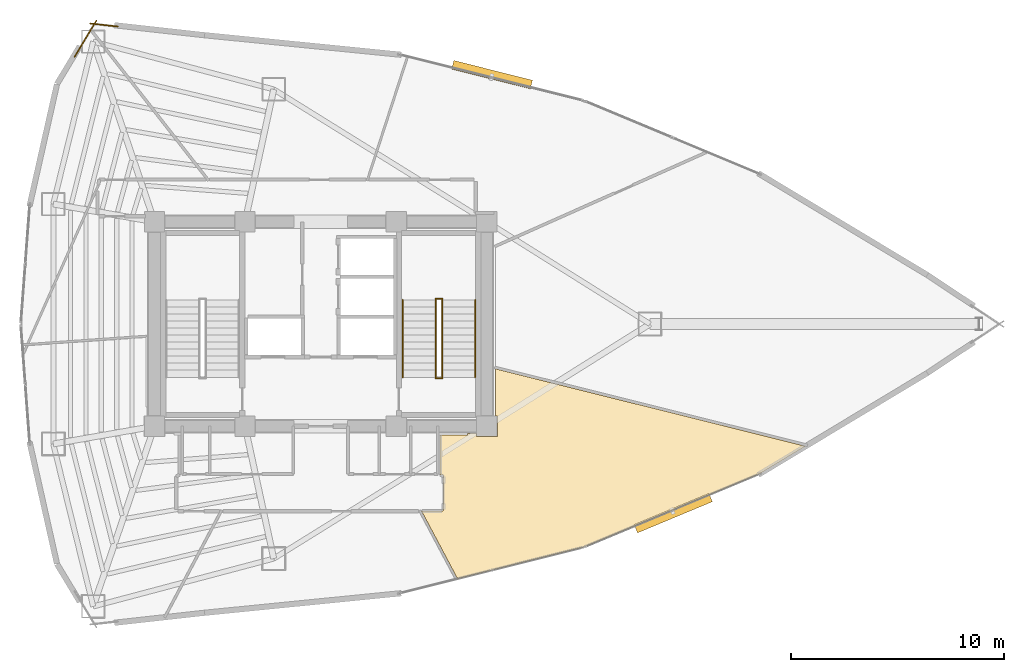
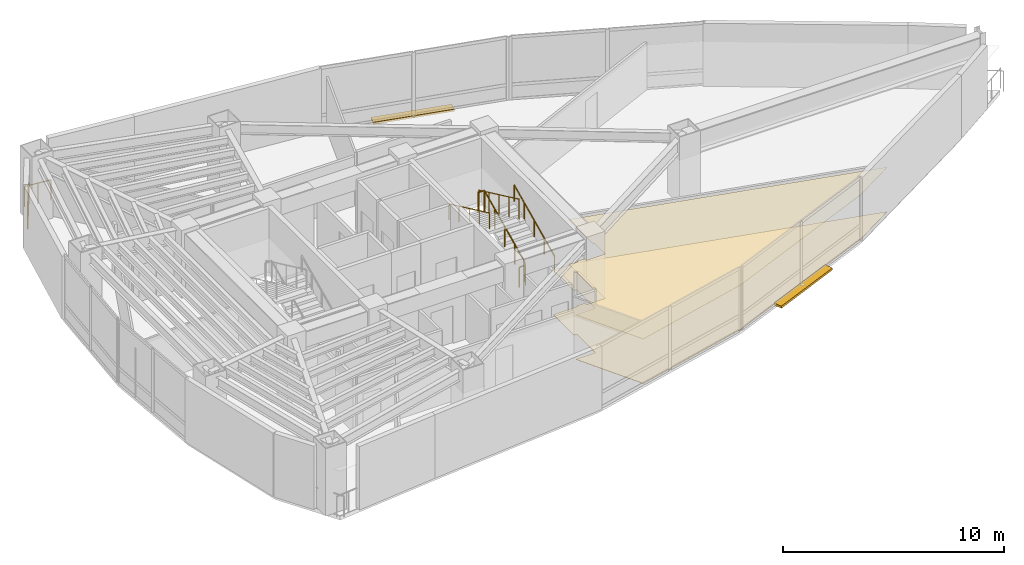
# One storey, part 17 of 18: 8 railings, 2 coverings, 2 shading devices.
"""IFC4 building model written with IfcOpenShell, lengths in metres."""

import ifcopenshell
import ifcopenshell.guid

model = None  # the IFC model being written
_history = None  # IfcOwnerHistory: only IFC2X3 demands one
_inside = {}  # id of a spatial element -> (the spatial element, [elements in it])
_under = {}  # id of a project, library or spatial element -> (it, [spatial elements below it])
_declared = {}  # id of a project -> (the project, [libraries it declares])
_typed = {}  # id of a type object -> (the type object, [elements of that type])
_made_of = {}  # id of a material, layer set ... -> (it, [elements and type objects made of it])


def new_model(schema):
    """Start an empty IFC model of exactly this schema.

    Asked for "IFC4X3", IfcOpenShell would pick the latest addendum, in which some entities
    have other attributes; the version numbers below select the first issue.
    IFC2X3 requires an IfcOwnerHistory on every rooted entity: one is made here for all.
    """
    global model, _history
    if schema == "IFC4X3":
        model = ifcopenshell.file(schema_version=(4, 3, 0, 0))
    else:
        model = ifcopenshell.file(schema=schema)
    _inside.clear()
    _under.clear()
    _declared.clear()
    _typed.clear()
    _made_of.clear()
    _history = None
    if model.schema == "IFC2X3":
        org = make("IfcOrganization", Name="unknown")
        user = make(
            "IfcPersonAndOrganization",
            ThePerson=make("IfcPerson", FamilyName="unknown"),
            TheOrganization=org,
        )
        app = make(
            "IfcApplication",
            ApplicationDeveloper=org,
            Version="unknown",
            ApplicationFullName="unknown",
            ApplicationIdentifier="unknown",
        )
        _history = make(
            "IfcOwnerHistory",
            OwningUser=user,
            OwningApplication=app,
            ChangeAction="ADDED",
            CreationDate=0,
        )
    return model


def make(cls, **values):
    """One entity of the class cls with the attributes given. An attribute that is None is left unset."""
    return model.create_entity(
        cls, **{name: value for name, value in values.items() if value is not None}
    )


def rooted(cls, **values):
    """An entity with a GlobalId (a new one), such as an element, a storey or a relation."""
    return make(cls, GlobalId=ifcopenshell.guid.new(), OwnerHistory=_history, **values)


def si_unit(unit_type, name, prefix=None):
    """IfcSIUnit, for example si_unit("LENGTHUNIT", "METRE", prefix="MILLI")."""
    return make("IfcSIUnit", UnitType=unit_type, Prefix=prefix, Name=name)


def assignment(units):
    """IfcUnitAssignment: the units of a project."""
    return None if units is None else make("IfcUnitAssignment", Units=units)


def point(xyz):
    """IfcCartesianPoint."""
    return None if xyz is None else make("IfcCartesianPoint", Coordinates=xyz)


def direction(xyz):
    """IfcDirection."""
    return None if xyz is None else make("IfcDirection", DirectionRatios=xyz)


def frame(location, z_axis=None, x_axis=None):
    """IfcAxis2Placement3D, a coordinate frame: its origin and axes. An axis left out is left unset."""
    return make(
        "IfcAxis2Placement3D",
        Location=point(location),
        Axis=direction(z_axis),
        RefDirection=direction(x_axis),
    )


def frame_2d(location, x_axis=None):
    """IfcAxis2Placement2D, a coordinate frame in the plane: its origin and x axis."""
    return make(
        "IfcAxis2Placement2D", Location=point(location), RefDirection=direction(x_axis)
    )


def origin():
    """The frame at (0, 0, 0) with its axes left unset."""
    return frame((0.0, 0.0, 0.0))


def origin_2d():
    """The frame at (0, 0) in the plane with its x axis left unset."""
    return frame_2d((0.0, 0.0))


def place(relative_to, where):
    """IfcLocalPlacement: puts the frame where relative to a parent placement (None: the world)."""
    return make(
        "IfcLocalPlacement", PlacementRelTo=relative_to, RelativePlacement=where
    )


def context(
    kind, dimensions, precision=None, world=None, true_north=None, identifier=None
):
    """IfcGeometricRepresentationContext, for example the 3D "Model" context."""
    return make(
        "IfcGeometricRepresentationContext",
        ContextIdentifier=identifier,
        ContextType=kind,
        CoordinateSpaceDimension=dimensions,
        Precision=precision,
        WorldCoordinateSystem=world,
        TrueNorth=true_north,
    )


def subcontext(parent, identifier, kind, view, scale=None):
    """IfcGeometricRepresentationSubContext, for example "Body" below "Model"."""
    return make(
        "IfcGeometricRepresentationSubContext",
        ContextIdentifier=identifier,
        ContextType=kind,
        ParentContext=parent,
        TargetScale=scale,
        TargetView=view,
    )


def project(units=None, contexts=None):
    """IfcProject with its units and contexts."""
    return rooted(
        "IfcProject",
        Name="project",
        RepresentationContexts=contexts,
        UnitsInContext=assignment(units),
    )


def spatial(cls, under=None, at=None, **own):
    """A site, building, storey or space (cls), placed at a placement, below another one or the project."""
    s = rooted(cls, ObjectPlacement=at, **own)
    if under is not None:
        _under.setdefault(under.id(), (under, []))[1].append(s)
    return s


def polyline(points):
    """IfcPolyline through the points."""
    return make("IfcPolyline", Points=[point(p) for p in points])


def profile(cls, at=None, kind="AREA", **sizes):
    """A parametric profile (cls). Its sizes go by their IFC names, for example OverallWidth=200.0."""
    return make(cls, ProfileType=kind, Position=at, **sizes)


def rectangle(**sizes):
    """IfcRectangleProfileDef."""
    return profile("IfcRectangleProfileDef", **sizes)


def circle(**sizes):
    """IfcCircleProfileDef."""
    return profile("IfcCircleProfileDef", **sizes)


def outline(outer, holes=None, kind="AREA"):
    """IfcArbitraryClosedProfileDef: a profile drawn as a closed curve; with holes, ...WithVoids."""
    if holes is None:
        return make("IfcArbitraryClosedProfileDef", ProfileType=kind, OuterCurve=outer)
    return make(
        "IfcArbitraryProfileDefWithVoids",
        ProfileType=kind,
        OuterCurve=outer,
        InnerCurves=holes,
    )


def extrude(swept, where, along, depth):
    """IfcExtrudedAreaSolid: the profile swept, set in the frame where, extruded along a direction by depth."""
    return make(
        "IfcExtrudedAreaSolid",
        SweptArea=swept,
        Position=where,
        ExtrudedDirection=direction(along),
        Depth=depth,
    )


def shape(context_of_items, identifier, shape_type, items):
    """IfcShapeRepresentation: the items that make up one representation, for example the "Body"."""
    return make(
        "IfcShapeRepresentation",
        ContextOfItems=context_of_items,
        RepresentationIdentifier=identifier,
        RepresentationType=shape_type,
        Items=items,
    )


def material(Name=None, Category=None):
    """IfcMaterial."""
    return make("IfcMaterial", Name=Name, Category=Category)


def layer(
    of_material, thickness, ventilated=None, Name=None, Category=None, Priority=None
):
    """IfcMaterialLayer: one layer of a wall or slab, of a material (None: an air gap)."""
    return make(
        "IfcMaterialLayer",
        Material=of_material,
        LayerThickness=thickness,
        IsVentilated=ventilated,
        Name=Name,
        Category=Category,
        Priority=Priority,
    )


def layer_set(layers, Name=None):
    """IfcMaterialLayerSet."""
    return make("IfcMaterialLayerSet", MaterialLayers=layers, LayerSetName=Name)


def made_of(thing, what):
    """Note that an element or type object is made of a material, layer set ...; save() writes the relation."""
    if what is not None:
        _made_of.setdefault(what.id(), (what, []))[1].append(thing)
    return thing


def type_object(cls, material=None, **own):
    """A type object (cls), such as IfcWallType, which elements share."""
    return made_of(rooted(cls, **own), material)


def element(
    cls,
    number,
    at=None,
    inside=None,
    cuts=None,
    type_object=None,
    material=None,
    context=None,
    identifier="Body",
    shape_type=None,
    held_by="IfcProductDefinitionShape",
    body=None,
    shapes=None,
    **own,
):
    """One element of the class cls, such as IfcWall. Its Tag is "e" and its number.

    at: its placement. inside: the storey or other place that contains it. cuts: it is an
    opening in that element (IfcRelVoidsElement). A single representation is given by context,
    identifier, shape_type and body (its items); several are given by shapes. held_by: the class
    of the entity that holds the representations. save() writes the other relations.
    """
    e = rooted(cls, Tag="e%d" % number, ObjectPlacement=at, **own)
    if body is not None:
        shapes = [shape(context, identifier, shape_type, body)]
    if shapes is not None:
        e.Representation = make(held_by, Representations=shapes)
    if inside is not None:
        _inside.setdefault(inside.id(), (inside, []))[1].append(e)
    if cuts is not None:
        rooted(
            "IfcRelVoidsElement", RelatingBuildingElement=cuts, RelatedOpeningElement=e
        )
    if type_object is not None:
        _typed.setdefault(type_object.id(), (type_object, []))[1].append(e)
    return made_of(e, material)


def aggregate(whole, parts):
    """IfcRelAggregates: a whole, such as a stair, and the parts it consists of."""
    return rooted("IfcRelAggregates", RelatingObject=whole, RelatedObjects=parts)


def save(model, path):
    """Write the relations noted so far, then the file.

    IfcRelAggregates (storeys below a building ...), IfcRelContainedInSpatialStructure (elements
    in a storey), IfcRelDefinesByType, IfcRelAssociatesMaterial and IfcRelDeclares: one each for
    every whole, place, type object, material and project.
    """
    for whole, parts in _under.values():
        aggregate(whole, parts)
    for where, things in _inside.values():
        rooted(
            "IfcRelContainedInSpatialStructure",
            RelatedElements=things,
            RelatingStructure=where,
        )
    for kind, things in _typed.values():
        rooted("IfcRelDefinesByType", RelatedObjects=things, RelatingType=kind)
    for what, things in _made_of.values():
        rooted("IfcRelAssociatesMaterial", RelatedObjects=things, RelatingMaterial=what)
    for by, libraries in _declared.values():
        rooted("IfcRelDeclares", RelatingContext=by, RelatedDefinitions=libraries)
    model.write(path)


model = new_model("IFC4")

# Units and contexts
model_context = context("Model", 3, precision=1e-05, world=origin(), true_north=direction((0.0, 1.0)))
body_context = subcontext(model_context, "Body", "Model", "MODEL_VIEW")
ifc_project = project(units=[si_unit("LENGTHUNIT", "METRE"), si_unit("AREAUNIT", "SQUARE_METRE"), si_unit("VOLUMEUNIT", "CUBIC_METRE"), si_unit("PLANEANGLEUNIT", "RADIAN"), si_unit("MASSUNIT", "GRAM", prefix="KILO")], contexts=[model_context])

# Site, building, storey
site_placement = place(None, origin())
site = spatial("IfcSite", under=ifc_project, at=site_placement, CompositionType="ELEMENT")
building_placement = place(site_placement, origin())
building = spatial("IfcBuilding", under=site, at=building_placement, Name="Menara Vayukalpa", CompositionType="ELEMENT")
storey_placement = place(building_placement, frame((0.0, 0.0, 158.0400390625)))
storey = spatial("IfcBuildingStorey", under=building, at=storey_placement, Name="L39", CompositionType="ELEMENT", Elevation=158.0400390625)

# Coverings
ifc_material_1 = material(Name="Mineral Fibre Acoustic Ceiling Tile", Category="masonry")
ifc_layer_1 = layer(ifc_material_1, 0.02490234375)
ifc_layer_set_1 = layer_set([ifc_layer_1], Name="Mineral Fibre Acoustic Ceiling Tile")
covering_type_1 = type_object("IfcCoveringType", Name="COV-CLG1", PredefinedType="CEILING", material=ifc_layer_set_1)
covering_1_placement = place(storey_placement, frame((0.0, 0.0, 2.449951171875)))
element("IfcCovering", 1, at=covering_1_placement, inside=storey, type_object=covering_type_1, Name="L39 Executive Office Suite Acoustic Ceiling", PredefinedType="CEILING", context=body_context, shape_type="SweptSolid", body=[
    extrude(outline(polyline([(37.957763671875, 11.53173828125), (32.0322265625, 10.046630859375), (32.031494140625, 10.04638671875), (32.030517578125, 10.04638671875), (32.029541015625, 10.04638671875), (32.028564453125, 10.04638671875), (32.027587890625, 10.046630859375), (32.026611328125, 10.046875), (32.02587890625, 10.047119140625), (32.02490234375, 10.047607421875), (32.024169921875, 10.048095703125), (32.0234375, 10.048583984375), (32.022705078125, 10.04931640625), (32.022216796875, 10.050048828125), (32.021484375, 10.05078125), (32.02099609375, 10.051513671875), (30.34423828125, 13.205322265625), (30.34375, 13.206298828125), (30.343505859375, 13.20703125), (30.34326171875, 13.2080078125), (30.343017578125, 13.208984375), (30.343017578125, 13.2099609375), (30.343017578125, 13.2109375), (30.34326171875, 13.2119140625), (30.343505859375, 13.212890625), (30.34375, 13.2138671875), (30.34423828125, 13.214599609375), (30.3447265625, 13.215576171875), (30.34521484375, 13.21630859375), (30.345947265625, 13.217041015625), (30.3466796875, 13.2177734375), (30.347412109375, 13.21826171875), (30.348388671875, 13.21875), (30.34912109375, 13.21923828125), (30.35009765625, 13.219482421875), (30.35107421875, 13.2197265625), (30.35205078125, 13.219970703125), (30.35302734375, 13.219970703125), (31.2998046875, 13.219970703125), (31.306884765625, 13.220458984375), (31.313720703125, 13.22119140625), (31.3203125, 13.222900390625), (31.326904296875, 13.225341796875), (31.3330078125, 13.228271484375), (31.3388671875, 13.231689453125), (31.344482421875, 13.236083984375), (31.349609375, 13.240478515625), (31.35400390625, 13.24560546875), (31.358154296875, 13.251220703125), (31.36181640625, 13.257080078125), (31.36474609375, 13.26318359375), (31.366943359375, 13.269775390625), (31.36865234375, 13.2763671875), (31.36962890625, 13.283203125), (31.3701171875, 13.290283203125), (31.3701171875, 14.849609375), (31.36962890625, 14.856689453125), (31.36865234375, 14.86376953125), (31.366943359375, 14.870361328125), (31.36474609375, 14.876708984375), (31.36181640625, 14.883056640625), (31.358154296875, 14.888916015625), (31.35400390625, 14.89453125), (31.349609375, 14.8994140625), (31.344482421875, 14.904052734375), (31.3388671875, 14.908203125), (31.3330078125, 14.911865234375), (31.326904296875, 14.914794921875), (31.3203125, 14.9169921875), (31.313720703125, 14.918701171875), (31.306884765625, 14.919677734375), (31.2998046875, 14.919921875), (31.219970703125, 14.919921875), (31.218994140625, 14.919921875), (31.218017578125, 14.920166015625), (31.217041015625, 14.92041015625), (31.21630859375, 14.9208984375), (31.21533203125, 14.921142578125), (31.21435546875, 14.921630859375), (31.213623046875, 14.92236328125), (31.212890625, 14.9228515625), (31.21240234375, 14.923583984375), (31.211669921875, 14.92431640625), (31.211181640625, 14.92529296875), (31.210693359375, 14.92626953125), (31.21044921875, 14.927001953125), (31.210205078125, 14.927978515625), (31.2099609375, 14.928955078125), (31.2099609375, 14.929931640625), (31.2099609375, 16.780029296875), (31.2099609375, 16.781005859375), (31.210205078125, 16.781982421875), (31.21044921875, 16.782958984375), (31.210693359375, 16.78369140625), (31.211181640625, 16.78466796875), (31.211669921875, 16.78564453125), (31.21240234375, 16.786376953125), (31.212890625, 16.787109375), (31.213623046875, 16.78759765625), (31.21435546875, 16.788330078125), (31.21533203125, 16.788818359375), (31.21630859375, 16.789306640625), (31.217041015625, 16.78955078125), (31.218017578125, 16.789794921875), (31.218994140625, 16.7900390625), (31.219970703125, 16.7900390625), (32.489990234375, 16.7900390625), (32.489990234375, 16.85009765625), (32.909912109375, 16.85009765625), (32.909912109375, 16.7099609375), (33.889892578125, 16.7099609375), (33.889892578125, 17.68994140625), (33.81005859375, 17.68994140625), (33.81005859375, 19.87841796875), (33.81005859375, 19.87939453125), (33.810302734375, 19.88037109375), (33.810546875, 19.88134765625), (33.810791015625, 19.88232421875), (33.811279296875, 19.88330078125), (33.811767578125, 19.884033203125), (33.8125, 19.885009765625), (33.81298828125, 19.885498046875), (33.813720703125, 19.88623046875), (33.814697265625, 19.886962890625), (33.8154296875, 19.887451171875), (33.81640625, 19.8876953125), (33.8173828125, 19.88818359375), (33.818359375, 19.88818359375), (33.8193359375, 19.888427734375), (33.8203125, 19.888427734375), (33.8212890625, 19.88818359375), (33.822509765625, 19.88818359375), (48.334716796875, 16.269775390625), (48.335693359375, 16.26953125), (48.33642578125, 16.26904296875), (48.33740234375, 16.268798828125), (48.338134765625, 16.26806640625), (48.3388671875, 16.267578125), (48.339599609375, 16.266845703125), (48.340087890625, 16.26611328125), (48.3408203125, 16.265380859375), (48.34130859375, 16.264404296875), (48.341552734375, 16.263427734375), (48.341796875, 16.262451171875), (48.342041015625, 16.26171875), (48.34228515625, 16.260498046875), (48.34228515625, 16.259521484375), (48.342041015625, 16.258544921875), (48.341796875, 16.2578125), (48.341552734375, 16.256591796875), (48.34130859375, 16.255859375), (48.3408203125, 16.2548828125), (48.340087890625, 16.254150390625), (48.339599609375, 16.25341796875), (48.3388671875, 16.252685546875), (48.338134765625, 16.252197265625), (48.33740234375, 16.25146484375), (46.231201171875, 14.98388671875), (46.22998046875, 14.9833984375), (37.959228515625, 11.5322265625), (37.95849609375, 11.531982421875), (37.957763671875, 11.53173828125)])), origin(), (0.0, 0.0, 1.0), 0.02490234375),
])
ifc_material_2 = material(Name="Porcelain Stoneware Floor Tile", Category="masonry")
ifc_layer_2 = layer(ifc_material_2, 0.02001953125)
ifc_layer_set_2 = layer_set([ifc_layer_2], Name="Porcelain Stoneware Floor Tile")
covering_type_2 = type_object("IfcCoveringType", Name="COV-FLR1", PredefinedType="FLOORING", material=ifc_layer_set_2)
covering_2_placement = place(storey_placement, origin())
element("IfcCovering", 2, at=covering_2_placement, inside=storey, type_object=covering_type_2, Name="L39 Executive Office Suite Porcelain Flooring", PredefinedType="FLOORING", context=body_context, shape_type="SweptSolid", body=[
    extrude(outline(polyline([(37.957763671875, 11.53173828125), (32.0322265625, 10.046630859375), (32.031494140625, 10.04638671875), (32.030517578125, 10.04638671875), (32.029541015625, 10.04638671875), (32.028564453125, 10.04638671875), (32.027587890625, 10.046630859375), (32.026611328125, 10.046875), (32.02587890625, 10.047119140625), (32.02490234375, 10.047607421875), (32.024169921875, 10.048095703125), (32.0234375, 10.048583984375), (32.022705078125, 10.04931640625), (32.022216796875, 10.050048828125), (32.021484375, 10.05078125), (32.02099609375, 10.051513671875), (30.34423828125, 13.205322265625), (30.34375, 13.206298828125), (30.343505859375, 13.20703125), (30.34326171875, 13.2080078125), (30.343017578125, 13.208984375), (30.343017578125, 13.2099609375), (30.343017578125, 13.2109375), (30.34326171875, 13.2119140625), (30.343505859375, 13.212890625), (30.34375, 13.2138671875), (30.34423828125, 13.214599609375), (30.3447265625, 13.215576171875), (30.34521484375, 13.21630859375), (30.345947265625, 13.217041015625), (30.3466796875, 13.2177734375), (30.347412109375, 13.21826171875), (30.348388671875, 13.21875), (30.34912109375, 13.21923828125), (30.35009765625, 13.219482421875), (30.35107421875, 13.2197265625), (30.35205078125, 13.219970703125), (30.35302734375, 13.219970703125), (31.2998046875, 13.219970703125), (31.306884765625, 13.220458984375), (31.313720703125, 13.22119140625), (31.3203125, 13.222900390625), (31.326904296875, 13.225341796875), (31.3330078125, 13.228271484375), (31.3388671875, 13.231689453125), (31.344482421875, 13.236083984375), (31.349609375, 13.240478515625), (31.35400390625, 13.24560546875), (31.358154296875, 13.251220703125), (31.36181640625, 13.257080078125), (31.36474609375, 13.26318359375), (31.366943359375, 13.269775390625), (31.36865234375, 13.2763671875), (31.36962890625, 13.283203125), (31.3701171875, 13.290283203125), (31.3701171875, 14.849609375), (31.36962890625, 14.856689453125), (31.36865234375, 14.86376953125), (31.366943359375, 14.870361328125), (31.36474609375, 14.876708984375), (31.36181640625, 14.883056640625), (31.358154296875, 14.888916015625), (31.35400390625, 14.89453125), (31.349609375, 14.8994140625), (31.344482421875, 14.904052734375), (31.3388671875, 14.908203125), (31.3330078125, 14.911865234375), (31.326904296875, 14.914794921875), (31.3203125, 14.9169921875), (31.313720703125, 14.918701171875), (31.306884765625, 14.919677734375), (31.2998046875, 14.919921875), (31.219970703125, 14.919921875), (31.218994140625, 14.919921875), (31.218017578125, 14.920166015625), (31.217041015625, 14.92041015625), (31.21630859375, 14.9208984375), (31.21533203125, 14.921142578125), (31.21435546875, 14.921630859375), (31.213623046875, 14.92236328125), (31.212890625, 14.9228515625), (31.21240234375, 14.923583984375), (31.211669921875, 14.92431640625), (31.211181640625, 14.92529296875), (31.210693359375, 14.92626953125), (31.21044921875, 14.927001953125), (31.210205078125, 14.927978515625), (31.2099609375, 14.928955078125), (31.2099609375, 14.929931640625), (31.2099609375, 16.780029296875), (31.2099609375, 16.781005859375), (31.210205078125, 16.781982421875), (31.21044921875, 16.782958984375), (31.210693359375, 16.78369140625), (31.211181640625, 16.78466796875), (31.211669921875, 16.78564453125), (31.21240234375, 16.786376953125), (31.212890625, 16.787109375), (31.213623046875, 16.78759765625), (31.21435546875, 16.788330078125), (31.21533203125, 16.788818359375), (31.21630859375, 16.789306640625), (31.217041015625, 16.78955078125), (31.218017578125, 16.789794921875), (31.218994140625, 16.7900390625), (31.219970703125, 16.7900390625), (32.489990234375, 16.7900390625), (32.489990234375, 16.85009765625), (32.909912109375, 16.85009765625), (32.909912109375, 16.7099609375), (33.889892578125, 16.7099609375), (33.889892578125, 17.68994140625), (33.81005859375, 17.68994140625), (33.81005859375, 19.87841796875), (33.81005859375, 19.87939453125), (33.810302734375, 19.88037109375), (33.810546875, 19.88134765625), (33.810791015625, 19.88232421875), (33.811279296875, 19.88330078125), (33.811767578125, 19.884033203125), (33.8125, 19.885009765625), (33.81298828125, 19.885498046875), (33.813720703125, 19.88623046875), (33.814697265625, 19.886962890625), (33.8154296875, 19.887451171875), (33.81640625, 19.8876953125), (33.8173828125, 19.88818359375), (33.818359375, 19.88818359375), (33.8193359375, 19.888427734375), (33.8203125, 19.888427734375), (33.8212890625, 19.88818359375), (33.822509765625, 19.88818359375), (48.334716796875, 16.269775390625), (48.335693359375, 16.26953125), (48.33642578125, 16.26904296875), (48.33740234375, 16.268798828125), (48.338134765625, 16.26806640625), (48.3388671875, 16.267578125), (48.339599609375, 16.266845703125), (48.340087890625, 16.26611328125), (48.3408203125, 16.265380859375), (48.34130859375, 16.264404296875), (48.341552734375, 16.263427734375), (48.341796875, 16.262451171875), (48.342041015625, 16.26171875), (48.34228515625, 16.260498046875), (48.34228515625, 16.259521484375), (48.342041015625, 16.258544921875), (48.341796875, 16.2578125), (48.341552734375, 16.256591796875), (48.34130859375, 16.255859375), (48.3408203125, 16.2548828125), (48.340087890625, 16.254150390625), (48.339599609375, 16.25341796875), (48.3388671875, 16.252685546875), (48.338134765625, 16.252197265625), (48.33740234375, 16.25146484375), (46.231201171875, 14.98388671875), (46.22998046875, 14.9833984375), (37.959228515625, 11.5322265625), (37.95849609375, 11.531982421875), (37.957763671875, 11.53173828125)])), origin(), (0.0, 0.0, 1.0), 0.02001953125),
])

# Railings
ifc_material_3 = material(Name="Laminated Glass and Stainless Steel 316 Guardrail", Category="steel")
railing_type_1 = type_object("IfcRailingType", Name="RLG-EXT115", PredefinedType="GUARDRAIL", material=ifc_material_3)
railing_1_placement = place(storey_placement, frame((16.074951171875, 35.964111328125, 0.0)))
element("IfcRailing", 3, at=railing_1_placement, inside=storey, type_object=railing_type_1, Name="L39 Column Corner Spandrel Guardrail 07-1", PredefinedType="GUARDRAIL", context=body_context, shape_type="SweptSolid", body=[
    extrude(circle(Radius=0.02392578125, at=origin_2d()), frame((0.0, 0.0, 1.1259765625), z_axis=(-0.99393179446, 0.109998127083, 0.0), x_axis=(-0.109998127083, -0.99393179446, 0.0)), (0.0, 0.0, 1.0), 1.29833984375),
    extrude(circle(Radius=0.02099609375, at=origin_2d()), origin(), (0.0, 0.0, 1.0), 1.101806640625),
    extrude(circle(Radius=0.02099609375, at=origin_2d()), frame((-0.645263671875, 0.0712890625, 0.0)), (0.0, 0.0, 1.0), 1.101806640625),
    extrude(circle(Radius=0.02099609375, at=origin_2d()), frame((-1.29052734375, 0.142822265625, 0.0)), (0.0, 0.0, 1.0), 1.101806640625),
])
railing_2_placement = place(storey_placement, frame((15.074462890625, 36.250244140625, 0.0)))
element("IfcRailing", 4, at=railing_2_placement, inside=storey, type_object=railing_type_1, Name="L39 Column Corner Spandrel Guardrail 08-1", PredefinedType="GUARDRAIL", context=body_context, shape_type="SweptSolid", body=[
    extrude(circle(Radius=0.02392578125, at=origin_2d()), frame((0.0, 0.0, 1.1259765625), z_axis=(-0.516238473258, -0.856444883649, 0.0), x_axis=(0.856444883649, -0.516238473258, 0.0)), (0.0, 0.0, 1.0), 1.9970703125),
    extrude(circle(Radius=0.02099609375, at=origin_2d()), origin(), (0.0, 0.0, 1.0), 1.101806640625),
    extrude(circle(Radius=0.02099609375, at=origin_2d()), frame((-0.515625, -0.855224609375, 0.0)), (0.0, 0.0, 1.0), 1.101806640625),
    extrude(circle(Radius=0.02099609375, at=origin_2d()), frame((-1.031005859375, -1.71044921875, 0.0)), (0.0, 0.0, 1.0), 1.101806640625),
])
ifc_material_4 = material(Name="Powder-Coated Galvanised Steel Guardrail", Category="steel")
railing_type_2 = type_object("IfcRailingType", Name="RLG-STG110", PredefinedType="GUARDRAIL", material=ifc_material_4)
railing_3_placement = place(storey_placement, frame((31.300048828125, 19.5, 0.155029296875)))
element("IfcRailing", 5, at=railing_3_placement, inside=storey, type_object=railing_type_2, Name="L39 ST-2 stair guard 1", PredefinedType="GUARDRAIL", context=body_context, shape_type="SweptSolid", body=[
    extrude(circle(Radius=0.02392578125, at=origin_2d()), frame((0.0, 0.0, 1.09619140625), z_axis=(0.0, 0.90513990983, 0.425113800803), x_axis=(-1.0, 0.0, 0.0)), (0.0, 0.0, 1.0), 4.01025390625),
    extrude(circle(Radius=0.02099609375, at=origin_2d()), origin(), (0.0, 0.0, 1.0), 1.072021484375),
    extrude(circle(Radius=0.02099609375, at=origin_2d()), frame((0.0, 0.907470703125, 0.42626953125)), (0.0, 0.0, 1.0), 1.072021484375),
    extrude(circle(Radius=0.02099609375, at=origin_2d()), frame((0.0, 1.81494140625, 0.8525390625)), (0.0, 0.0, 1.0), 1.072021484375),
    extrude(circle(Radius=0.02099609375, at=origin_2d()), frame((0.0, 2.722412109375, 1.278564453125)), (0.0, 0.0, 1.0), 1.072021484375),
    extrude(circle(Radius=0.02099609375, at=origin_2d()), frame((0.0, 3.6298828125, 1.704833984375)), (0.0, 0.0, 1.0), 1.072021484375),
])
railing_4_placement = place(storey_placement, frame((31.31005859375, 23.179931640625, 1.85986328125)))
element("IfcRailing", 6, at=railing_4_placement, inside=storey, type_object=railing_type_2, Name="L39 ST-2 stair guard 2", PredefinedType="GUARDRAIL", context=body_context, shape_type="SweptSolid", body=[
    extrude(circle(Radius=0.02392578125, at=origin_2d()), frame((0.0, 0.0, 1.09619140625), z_axis=(-1.0, 0.0, 0.0), x_axis=(0.0, -1.0, 0.0)), (0.0, 0.0, 1.0), 0.320068359375),
    extrude(circle(Radius=0.02099609375, at=origin_2d()), origin(), (0.0, 0.0, 1.0), 1.072021484375),
    extrude(circle(Radius=0.02099609375, at=origin_2d()), frame((-0.320068359375, 0.0, 0.0)), (0.0, 0.0, 1.0), 1.072021484375),
])
railing_5_placement = place(storey_placement, frame((31.0, 23.1298828125, 2.014892578125)))
element("IfcRailing", 7, at=railing_5_placement, inside=storey, type_object=railing_type_2, Name="L39 ST-2 stair guard 3", PredefinedType="GUARDRAIL", context=body_context, shape_type="SweptSolid", body=[
    extrude(circle(Radius=0.02392578125, at=origin_2d()), frame((0.0, 0.0, 1.09619140625), z_axis=(0.0, -0.90511648382, 0.425163675209), x_axis=(1.0, 0.0, 0.0)), (0.0, 0.0, 1.0), 4.010498046875),
    extrude(circle(Radius=0.02099609375, at=origin_2d()), origin(), (0.0, 0.0, 1.0), 1.072021484375),
    extrude(circle(Radius=0.02099609375, at=origin_2d()), frame((0.0, -0.907470703125, 0.42626953125)), (0.0, 0.0, 1.0), 1.072021484375),
    extrude(circle(Radius=0.02099609375, at=origin_2d()), frame((0.0, -1.81494140625, 0.8525390625)), (0.0, 0.0, 1.0), 1.072021484375),
    extrude(circle(Radius=0.02099609375, at=origin_2d()), frame((0.0, -2.722412109375, 1.27880859375)), (0.0, 0.0, 1.0), 1.072021484375),
    extrude(circle(Radius=0.02099609375, at=origin_2d()), frame((0.0, -3.6298828125, 1.705078125)), (0.0, 0.0, 1.0), 1.072021484375),
])
railing_6_placement = place(storey_placement, frame((31.31005859375, 19.449951171875, 0.0)))
element("IfcRailing", 8, at=railing_6_placement, inside=storey, type_object=railing_type_2, Name="L39 ST-2 stair guard 4", PredefinedType="GUARDRAIL", context=body_context, shape_type="SweptSolid", body=[
    extrude(circle(Radius=0.02392578125, at=origin_2d()), frame((0.0, 0.0, 1.09619140625), z_axis=(-1.0, 0.0, 0.0), x_axis=(0.0, -1.0, 0.0)), (0.0, 0.0, 1.0), 0.320068359375),
    extrude(circle(Radius=0.02099609375, at=origin_2d()), origin(), (0.0, 0.0, 1.0), 1.072021484375),
    extrude(circle(Radius=0.02099609375, at=origin_2d()), frame((-0.320068359375, 0.0, 0.0)), (0.0, 0.0, 1.0), 1.072021484375),
])
ifc_material_5 = material(Name="Stainless Steel 316 Tubular Handrail", Category="steel")
railing_type_3 = type_object("IfcRailingType", Name="RLG-STH090", PredefinedType="HANDRAIL", material=ifc_material_5)
railing_7_placement = place(storey_placement, frame((32.85009765625, 19.5, 0.155029296875)))
element("IfcRailing", 9, at=railing_7_placement, inside=storey, type_object=railing_type_3, Name="L39 ST-2 stair handrail 1", PredefinedType="HANDRAIL", context=body_context, shape_type="SweptSolid", body=[
    extrude(circle(Radius=0.02392578125, at=origin_2d()), frame((0.0, 0.0, 0.8759765625), z_axis=(0.0, 0.90513990983, 0.425113800803), x_axis=(-1.0, 0.0, 0.0)), (0.0, 0.0, 1.0), 4.01025390625),
    extrude(circle(Radius=0.02099609375, at=origin_2d()), origin(), (0.0, 0.0, 1.0), 0.851806640625),
    extrude(circle(Radius=0.02099609375, at=origin_2d()), frame((0.0, 0.907470703125, 0.42626953125)), (0.0, 0.0, 1.0), 0.851806640625),
    extrude(circle(Radius=0.02099609375, at=origin_2d()), frame((0.0, 1.81494140625, 0.8525390625)), (0.0, 0.0, 1.0), 0.851806640625),
    extrude(circle(Radius=0.02099609375, at=origin_2d()), frame((0.0, 2.722412109375, 1.278564453125)), (0.0, 0.0, 1.0), 0.851806640625),
    extrude(circle(Radius=0.02099609375, at=origin_2d()), frame((0.0, 3.6298828125, 1.704833984375)), (0.0, 0.0, 1.0), 0.851806640625),
])
railing_8_placement = place(storey_placement, frame((29.449951171875, 23.1298828125, 2.014892578125)))
element("IfcRailing", 10, at=railing_8_placement, inside=storey, type_object=railing_type_3, Name="L39 ST-2 stair handrail 2", PredefinedType="HANDRAIL", context=body_context, shape_type="SweptSolid", body=[
    extrude(circle(Radius=0.02392578125, at=origin_2d()), frame((0.0, 0.0, 0.8759765625), z_axis=(0.0, -0.90511648382, 0.425163675209), x_axis=(1.0, 0.0, 0.0)), (0.0, 0.0, 1.0), 4.010498046875),
    extrude(circle(Radius=0.02099609375, at=origin_2d()), origin(), (0.0, 0.0, 1.0), 0.851806640625),
    extrude(circle(Radius=0.02099609375, at=origin_2d()), frame((0.0, -0.907470703125, 0.42626953125)), (0.0, 0.0, 1.0), 0.851806640625),
    extrude(circle(Radius=0.02099609375, at=origin_2d()), frame((0.0, -1.81494140625, 0.8525390625)), (0.0, 0.0, 1.0), 0.851806640625),
    extrude(circle(Radius=0.02099609375, at=origin_2d()), frame((0.0, -2.722412109375, 1.27880859375)), (0.0, 0.0, 1.0), 0.851806640625),
    extrude(circle(Radius=0.02099609375, at=origin_2d()), frame((0.0, -3.6298828125, 1.705078125)), (0.0, 0.0, 1.0), 0.851806640625),
])

# Shading devices
ifc_material_6 = material(Name="Glazed Terracotta Ceramic Baguette Extrusion", Category="masonry")
ifc_layer_3 = layer(ifc_material_6, 0.1201171875)
ifc_layer_set_3 = layer_set([ifc_layer_3], Name="Glazed Terracotta Ceramic Baguette Extrusion")
shading_device_type = type_object("IfcShadingDeviceType", Name="SHD-SS1", PredefinedType="USERDEFINED", material=ifc_layer_set_3)
for number, where, z_axis, x_axis, name in (
    (11, (33.647705078125, 33.703125, -0.10009765625), (0.0, 0.0, 1.0), (-0.969999438853, 0.243107154615, 0.0), "L39 Horizontal Terracotta Sunshade Band 05"),
    (12, (42.15234375, 13.119384765625, -0.10009765625), (0.0, 0.0, 1.0), (0.922881225826, 0.38508472187, 0.0), "L39 Horizontal Terracotta Sunshade Band 17"),
):
    element("IfcShadingDevice", number, at=place(storey_placement, frame(where, z_axis=z_axis, x_axis=x_axis)), inside=storey, type_object=shading_device_type, Name=name, ObjectType="SUNSHADE", PredefinedType="USERDEFINED", context=body_context, shape_type="SweptSolid", body=[
        extrude(rectangle(XDim=3.800048828125, YDim=0.419921875, at=origin_2d()), origin(), (0.0, 0.0, 1.0), 0.1201171875),
    ])

save(model, "model.ifc")
